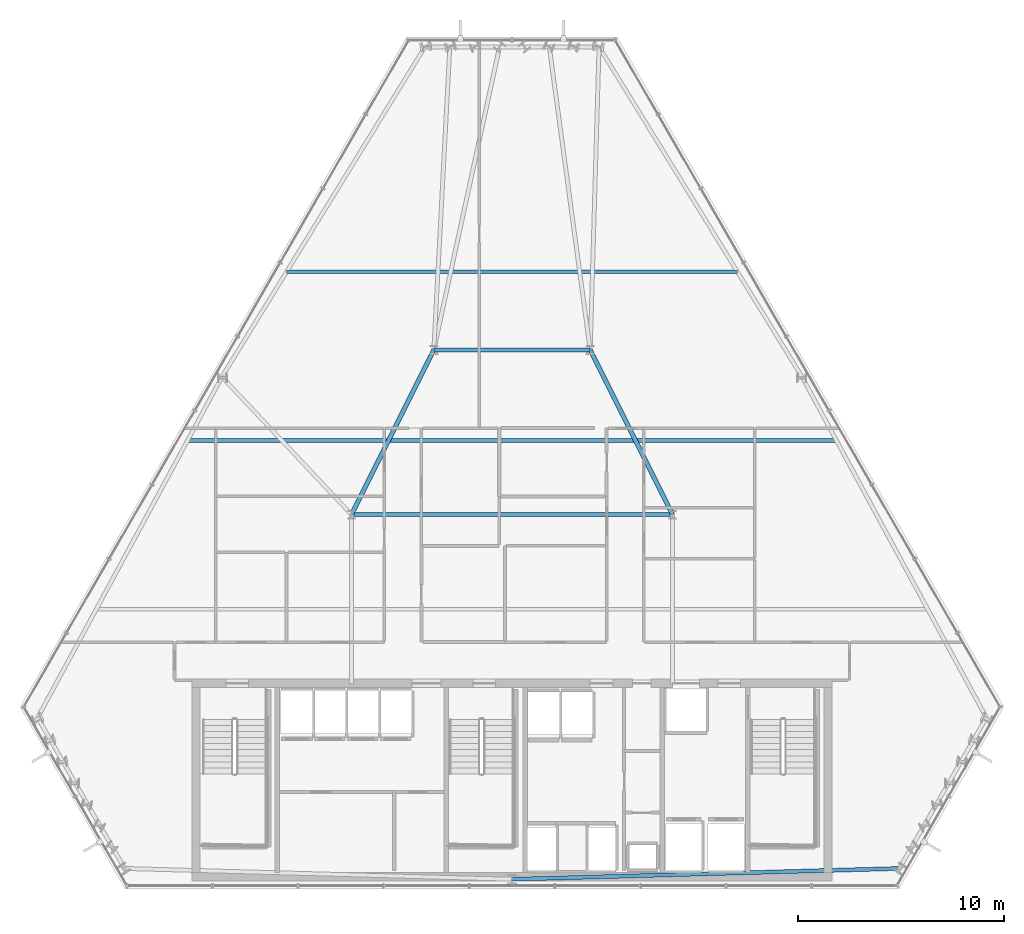
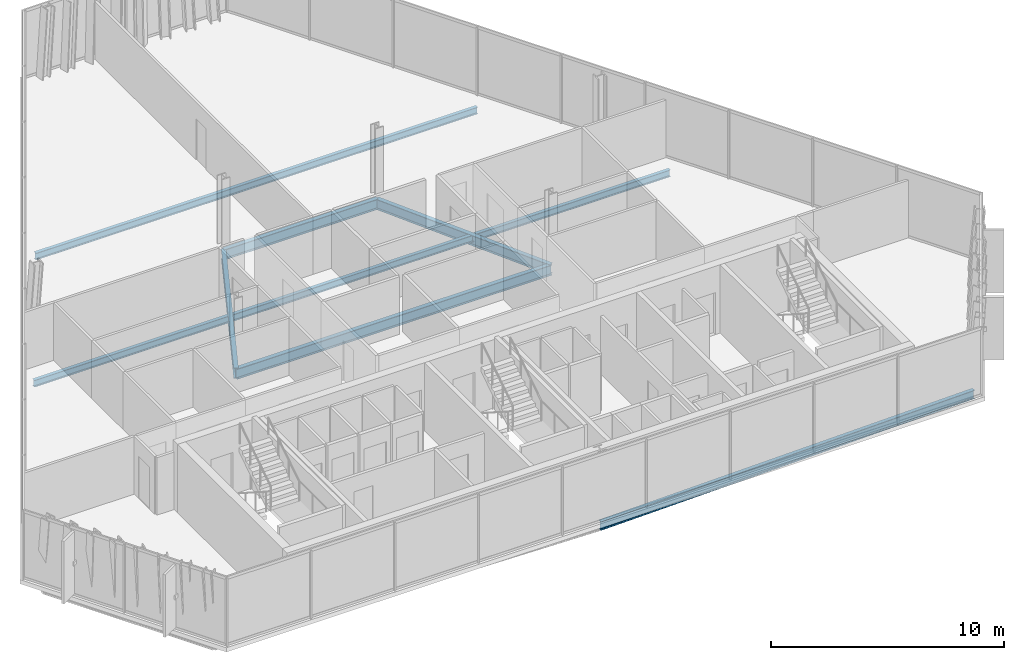
# One storey, part 14 of 35: 7 beams.
"""IFC4 building model written with IfcOpenShell, lengths in metres."""

from ifc_helpers import new_model, si_unit, direction, frame, origin, origin_2d, place, context, subcontext, project, spatial, i_section, extrude, material, material_profile, profile_set, type_object, element, save


model = new_model("IFC4")

# Units and contexts
model_context = context("Model", 3, precision=1e-05, world=origin(), true_north=direction((0.0, 1.0)))
body_context = subcontext(model_context, "Body", "Model", "MODEL_VIEW")
ifc_project = project(units=[si_unit("LENGTHUNIT", "METRE"), si_unit("AREAUNIT", "SQUARE_METRE"), si_unit("VOLUMEUNIT", "CUBIC_METRE"), si_unit("PLANEANGLEUNIT", "RADIAN"), si_unit("MASSUNIT", "GRAM", prefix="KILO")], contexts=[model_context])

# Site, building, storey
site_placement = place(None, origin())
site = spatial("IfcSite", under=ifc_project, at=site_placement, CompositionType="ELEMENT")
building_placement = place(site_placement, origin())
building = spatial("IfcBuilding", under=site, at=building_placement, Name="Ndaravel Arena Tower", CompositionType="ELEMENT")
storey_placement = place(building_placement, frame((0.0, 0.0, 180.199951171875)))
storey = spatial("IfcBuildingStorey", under=building, at=storey_placement, Name="L43", CompositionType="ELEMENT", Elevation=180.199951171875)

# Beams
ifc_material_1 = material(Name="Steel S355", Category="steel")
ifc_material_profile_1 = material_profile(ifc_material_1, i_section(OverallWidth=0.210693359375, OverallDepth=0.53955078125, WebThickness=0.01171875, FlangeThickness=0.018798828125, FilletRadius=0.0126953125, at=origin_2d()), Name="UB 533x210x109")
ifc_profile_set_1 = profile_set([ifc_material_profile_1], Name="Steel S355")
beam_type_1 = type_object("IfcBeamType", Name="BM-GIRD-UB533", PredefinedType="BEAM", material=ifc_profile_set_1)
beam_1_placement = place(storey_placement, frame((34.199951171875, 23.199951171875, -0.48974609375), z_axis=(1.0, 0.0, 0.0), x_axis=(0.0, 1.0, 0.0)))
element("IfcBeam", 1, at=beam_1_placement, inside=storey, type_object=beam_type_1, Name="L43 Spine Link Girder SLG-03", PredefinedType="BEAM", context=body_context, shape_type="SweptSolid", body=[
    extrude(i_section(OverallWidth=0.210693359375, OverallDepth=0.53955078125, WebThickness=0.01171875, FlangeThickness=0.018798828125, FilletRadius=0.0126953125, at=origin_2d()), origin(), (0.0, 0.0, 1.0), 15.60009765625),
])
for number, where, z_axis, x_axis, name in (
    (2, (34.199951171875, 23.199951171875, -0.48974609375), (0.4472135955, 0.894427191, 0.0), (-0.894427191, 0.4472135955, 0.0), "L43 Spine Link Girder SLG-04"),
    (3, (49.800048828125, 23.199951171875, -0.48974609375), (-0.4472135955, 0.894427191, 0.0), (-0.894427191, -0.4472135955, 0.0), "L43 Spine Link Girder SLG-05"),
):
    element("IfcBeam", number, at=place(storey_placement, frame(where, z_axis=z_axis, x_axis=x_axis)), inside=storey, type_object=beam_type_1, Name=name, PredefinedType="BEAM", context=body_context, shape_type="SweptSolid", body=[
        extrude(i_section(OverallWidth=0.210693359375, OverallDepth=0.53955078125, WebThickness=0.01171875, FlangeThickness=0.018798828125, FilletRadius=0.0126953125, at=origin_2d()), origin(), (0.0, 0.0, 1.0), 8.9443359375),
    ])
beam_2_placement = place(storey_placement, frame((38.199951171875, 31.199951171875, -0.48974609375), z_axis=(1.0, 0.0, 0.0), x_axis=(0.0, 1.0, 0.0)))
element("IfcBeam", 4, at=beam_2_placement, inside=storey, type_object=beam_type_1, Name="L43 Spine Link Girder SLG-06", PredefinedType="BEAM", context=body_context, shape_type="SweptSolid", body=[
    extrude(i_section(OverallWidth=0.210693359375, OverallDepth=0.53955078125, WebThickness=0.01171875, FlangeThickness=0.018798828125, FilletRadius=0.0126953125, at=origin_2d()), origin(), (0.0, 0.0, 1.0), 7.60009765625),
])
ifc_material_2 = material(Name="Steel S355", Category="steel")
ifc_material_profile_2 = material_profile(ifc_material_2, i_section(OverallWidth=0.172119140625, OverallDepth=0.35791015625, WebThickness=0.008056640625, FlangeThickness=0.012939453125, FilletRadius=0.01025390625, at=origin_2d()), Name="UB 356x171x57")
ifc_profile_set_2 = profile_set([ifc_material_profile_2], Name="Steel S355")
beam_type_2 = type_object("IfcBeamType", Name="BM-JOIST-UB356", PredefinedType="JOIST", material=ifc_profile_set_2)
beam_3_placement = place(storey_placement, frame((26.235107421875, 26.800048828125, -0.39892578125), z_axis=(1.0, 0.0, 0.0), x_axis=(0.0, 1.0, 0.0)))
element("IfcBeam", 5, at=beam_3_placement, inside=storey, type_object=beam_type_2, Name="L43 Composite Floor Joist FJ-02", PredefinedType="JOIST", context=body_context, shape_type="SweptSolid", body=[
    extrude(i_section(OverallWidth=0.172119140625, OverallDepth=0.35791015625, WebThickness=0.008056640625, FlangeThickness=0.012939453125, FilletRadius=0.01025390625, at=origin_2d()), origin(), (0.0, 0.0, 1.0), 31.52978515625),
])
beam_4_placement = place(storey_placement, frame((31.049072265625, 35.0, -0.39892578125), z_axis=(1.0, 0.0, 0.0), x_axis=(0.0, 1.0, 0.0)))
element("IfcBeam", 6, at=beam_4_placement, inside=storey, type_object=beam_type_2, Name="L43 Composite Floor Joist FJ-03", PredefinedType="JOIST", context=body_context, shape_type="SweptSolid", body=[
    extrude(i_section(OverallWidth=0.172119140625, OverallDepth=0.35791015625, WebThickness=0.008056640625, FlangeThickness=0.012939453125, FilletRadius=0.01025390625, at=origin_2d()), origin(), (0.0, 0.0, 1.0), 21.90185546875),
])
ifc_material_3 = material(Name="Steel S355", Category="steel")
ifc_material_profile_3 = material_profile(ifc_material_3, i_section(OverallWidth=0.18994140625, OverallDepth=0.449951171875, WebThickness=0.009521484375, FlangeThickness=0.0146484375, FilletRadius=0.02099609375, at=origin_2d()), Name="IPE 450")
ifc_profile_set_3 = profile_set([ifc_material_profile_3], Name="Steel S355")
beam_type_3 = type_object("IfcBeamType", Name="BM-SPAN-IPE450", PredefinedType="SPANDREL", material=ifc_profile_set_3)
beam_5_placement = place(storey_placement, frame((42.0, 5.47998046875, -0.445068359375), z_axis=(0.999613480309, 0.027800898972, 0.0), x_axis=(-0.027800898972, 0.999613480309, 0.0)))
element("IfcBeam", 7, at=beam_5_placement, inside=storey, type_object=beam_type_3, Name="L43 Perimeter Spandrel Beam SP-01", PredefinedType="SPANDREL", context=body_context, shape_type="SweptSolid", body=[
    extrude(i_section(OverallWidth=0.18994140625, OverallDepth=0.449951171875, WebThickness=0.009521484375, FlangeThickness=0.0146484375, FilletRadius=0.02099609375, at=origin_2d()), origin(), (0.0, 0.0, 1.0), 18.828125),
])

save(model, "model.ifc")
